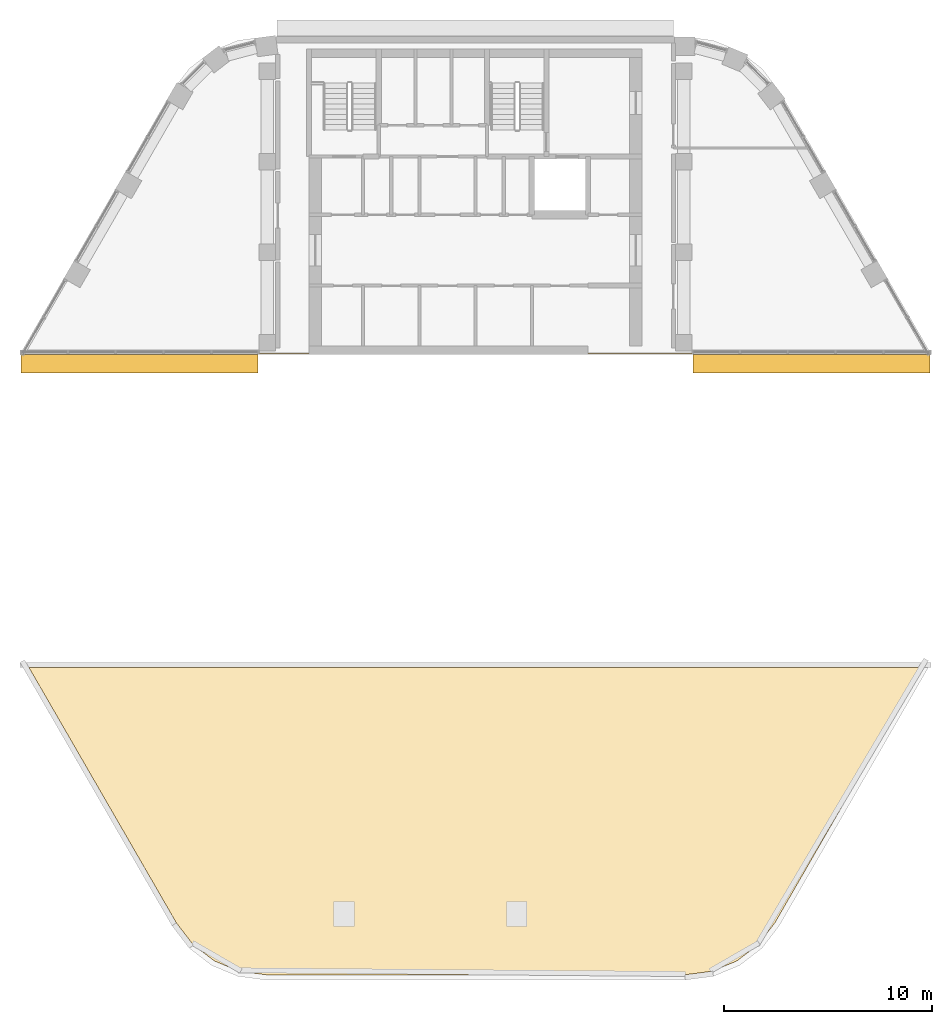
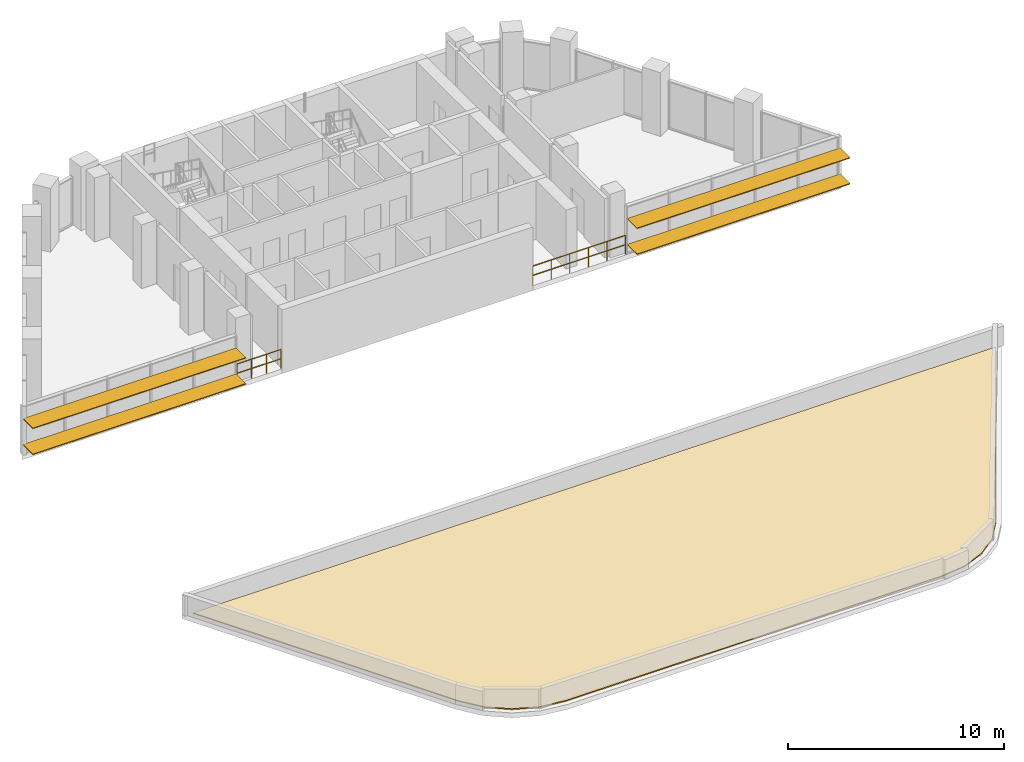
# One storey, part 9 of 10: 4 shading devices, 2 railings, 1 covering.
"""IFC4 building model written with IfcOpenShell, lengths in metres."""

from ifc_helpers import new_model, si_unit, direction, frame, origin, origin_2d, place, context, subcontext, project, spatial, polyline, rectangle, circle, outline, extrude, material, layer, layer_set, material_profile, profile_set, type_object, element, save


model = new_model("IFC4")

# Units and contexts
model_context = context("Model", 3, precision=1e-05, world=origin(), true_north=direction((0.0, 1.0)))
body_context = subcontext(model_context, "Body", "Model", "MODEL_VIEW")
ifc_project = project(units=[si_unit("LENGTHUNIT", "METRE"), si_unit("AREAUNIT", "SQUARE_METRE"), si_unit("VOLUMEUNIT", "CUBIC_METRE"), si_unit("PLANEANGLEUNIT", "RADIAN"), si_unit("MASSUNIT", "GRAM", prefix="KILO")], contexts=[model_context])

# Site, building, storey
site_placement = place(None, origin())
site = spatial("IfcSite", under=ifc_project, at=site_placement, CompositionType="ELEMENT")
building_placement = place(site_placement, origin())
building = spatial("IfcBuilding", under=site, at=building_placement, Name="Nakaniwa Court", CompositionType="ELEMENT")
storey_placement = place(building_placement, frame((0.0, 0.0, 290.39990234375)))
storey = spatial("IfcBuildingStorey", under=building, at=storey_placement, Name="C06", CompositionType="ELEMENT", Elevation=290.39990234375)

# Covering
ifc_material_1 = material(Name="Charcoal ceramic paver")
ifc_layer_1 = layer(ifc_material_1, 0.025, Name="Ceramic paver")
ifc_material_2 = material(Name="Cement sand mortar")
ifc_layer_2 = layer(ifc_material_2, 0.025, Name="Mortar bed")
ifc_material_3 = material(Name="Drainage protection mat")
ifc_layer_3 = layer(ifc_material_3, 0.01, Name="Protection and drainage layer")
ifc_layer_set = layer_set([ifc_layer_1, ifc_layer_2, ifc_layer_3], Name="Charcoal ceramic paver roof covering on insulation")
covering_type = type_object("IfcCoveringType", Name="Black ceramic roof covering", PredefinedType="ROOFING", material=ifc_layer_set)
covering_placement = place(storey_placement, origin())
element("IfcCovering", 1, at=covering_placement, inside=storey, type_object=covering_type, Name="C05 roof covering, south bar", PredefinedType="ROOFING", context=body_context, shape_type="SweptSolid", body=[
    extrude(outline(polyline([(93.573486328125, 59.05126953125), (92.548828125, 58.26513671875), (91.355224609375, 57.770751953125), (90.058349609375, 57.60009765625), (69.941650390625, 57.60009765625), (68.644775390625, 57.770751953125), (67.451171875, 58.26513671875), (66.426513671875, 59.05126953125), (65.630126953125, 60.089111328125), (58.551513671875, 72.35009765625), (101.448486328125, 72.35009765625), (94.369873046875, 60.089111328125), (93.573486328125, 59.05126953125)])), origin(), (0.0, 0.0, 1.0), 0.06005859375),
])

# Shading devices
ifc_material_4 = material(Name="Perforated charcoal ceramic louvre blade")
ifc_material_profile = material_profile(ifc_material_4, rectangle(XDim=0.89990234375, YDim=0.050048828125, at=origin_2d()), Name="Perforated ceramic louvre blade")
ifc_profile_set = profile_set([ifc_material_profile], Name="Perforated charcoal ceramic louvre blade")
shading_device_type = type_object("IfcShadingDeviceType", Name="Perforated ceramic louvre blade", PredefinedType="JALOUSIE", material=ifc_profile_set)
for number, where, z_axis, x_axis, name in (
    (2, (58.16845703125, 86.949951171875, 0.550048828125), (1.0, 0.0, 0.0), (0.0, 1.0, 0.0), "C06 perforated ceramic louvre blade w02 1"),
    (3, (58.16845703125, 86.949951171875, 2.01513671875), (1.0, 0.0, 0.0), (0.0, 1.0, 0.0), "C06 perforated ceramic louvre blade w02 2"),
    (4, (90.446044921875, 86.949951171875, 0.550048828125), (1.0, 0.0, 0.0), (0.0, 1.0, 0.0), "C06 perforated ceramic louvre blade w03 1"),
    (5, (90.446044921875, 86.949951171875, 2.01513671875), (1.0, 0.0, 0.0), (0.0, 1.0, 0.0), "C06 perforated ceramic louvre blade w03 2"),
):
    element("IfcShadingDevice", number, at=place(storey_placement, frame(where, z_axis=z_axis, x_axis=x_axis)), inside=storey, type_object=shading_device_type, Name=name, PredefinedType="JALOUSIE", context=body_context, shape_type="SweptSolid", body=[
        extrude(rectangle(XDim=0.89990234375, YDim=0.050048828125, at=origin_2d()), origin(), (0.0, 0.0, 1.0), 11.385498046875),
    ])

# Railings
ifc_material_5 = material(Name="Black powder coated steel guard", Category="steel")
railing_type = type_object("IfcRailingType", Name="Stair guard 1100", PredefinedType="GUARDRAIL", material=ifc_material_5)
railing_1_placement = place(storey_placement, frame((69.625244140625, 87.449951171875, 0.0)))
element("IfcRailing", 6, at=railing_1_placement, inside=storey, type_object=railing_type, Name="GUARD GD-C06-177", PredefinedType="GUARDRAIL", context=body_context, shape_type="SweptSolid", body=[
    extrude(circle(Radius=0.02392578125, at=origin_2d()), frame((0.0, 0.0, 1.076171875), z_axis=(1.0, 0.0, 0.0), x_axis=(0.0, 1.0, 0.0)), (0.0, 0.0, 1.0), 2.34912109375),
    extrude(circle(Radius=0.02392578125, at=origin_2d()), frame((0.0, 0.0, 0.550048828125), z_axis=(1.0, 0.0, 0.0), x_axis=(0.0, 1.0, 0.0)), (0.0, 0.0, 1.0), 2.34912109375),
    extrude(circle(Radius=0.02099609375, at=origin_2d()), origin(), (0.0, 0.0, 1.0), 1.052001953125),
    extrude(circle(Radius=0.02099609375, at=origin_2d()), frame((0.782958984375, 0.0, 0.0)), (0.0, 0.0, 1.0), 1.052001953125),
    extrude(circle(Radius=0.02099609375, at=origin_2d()), frame((1.566162109375, 0.0, 0.0)), (0.0, 0.0, 1.0), 1.052001953125),
    extrude(circle(Radius=0.02099609375, at=origin_2d()), frame((2.34912109375, 0.0, 0.0)), (0.0, 0.0, 1.0), 1.052001953125),
])
railing_2_placement = place(storey_placement, frame((85.419189453125, 87.449951171875, 0.0)))
element("IfcRailing", 7, at=railing_2_placement, inside=storey, type_object=railing_type, Name="GUARD GD-C06-178", PredefinedType="GUARDRAIL", context=body_context, shape_type="SweptSolid", body=[
    extrude(circle(Radius=0.02392578125, at=origin_2d()), frame((0.0, 0.0, 1.076171875), z_axis=(1.0, 0.0, 0.0), x_axis=(0.0, 1.0, 0.0)), (0.0, 0.0, 1.0), 4.95556640625),
    extrude(circle(Radius=0.02392578125, at=origin_2d()), frame((0.0, 0.0, 0.550048828125), z_axis=(1.0, 0.0, 0.0), x_axis=(0.0, 1.0, 0.0)), (0.0, 0.0, 1.0), 4.95556640625),
    extrude(circle(Radius=0.02099609375, at=origin_2d()), origin(), (0.0, 0.0, 1.0), 1.052001953125),
    extrude(circle(Radius=0.02099609375, at=origin_2d()), frame((0.9912109375, 0.0, 0.0)), (0.0, 0.0, 1.0), 1.052001953125),
    extrude(circle(Radius=0.02099609375, at=origin_2d()), frame((1.982177734375, 0.0, 0.0)), (0.0, 0.0, 1.0), 1.052001953125),
    extrude(circle(Radius=0.02099609375, at=origin_2d()), frame((2.973388671875, 0.0, 0.0)), (0.0, 0.0, 1.0), 1.052001953125),
    extrude(circle(Radius=0.02099609375, at=origin_2d()), frame((3.96435546875, 0.0, 0.0)), (0.0, 0.0, 1.0), 1.052001953125),
    extrude(circle(Radius=0.02099609375, at=origin_2d()), frame((4.95556640625, 0.0, 0.0)), (0.0, 0.0, 1.0), 1.052001953125),
])

save(model, "model.ifc")
